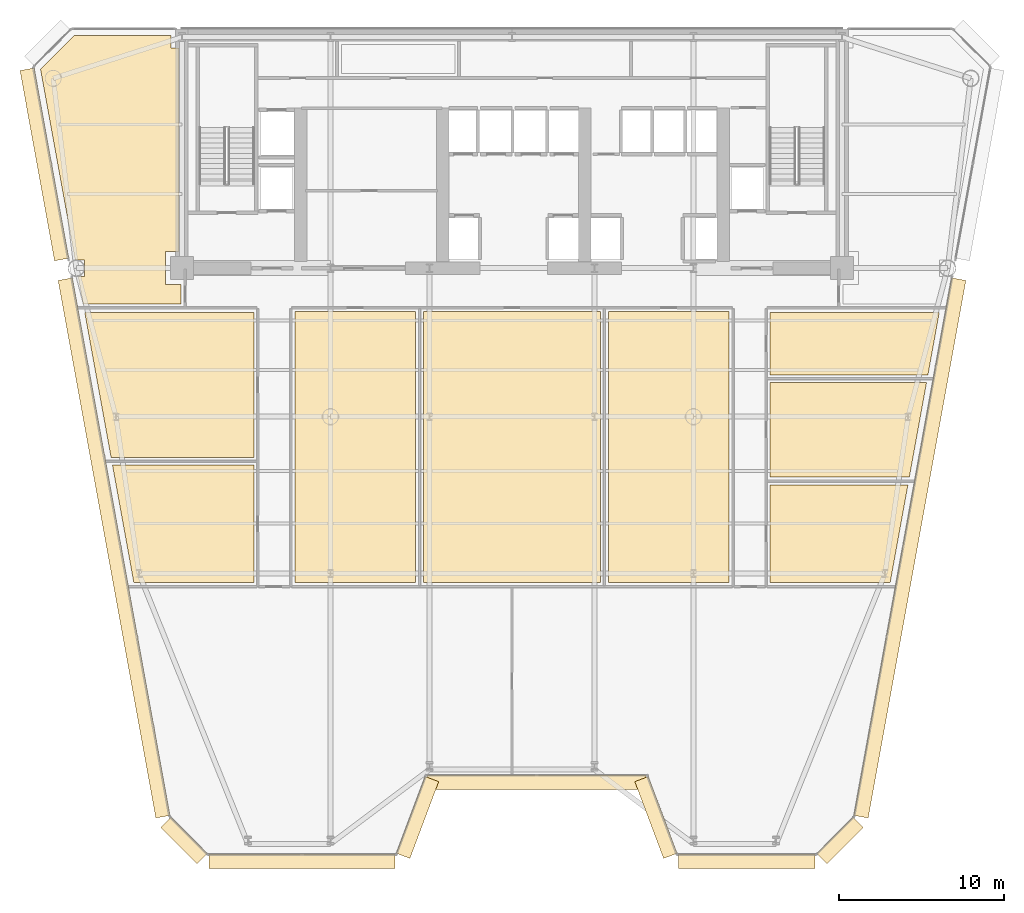
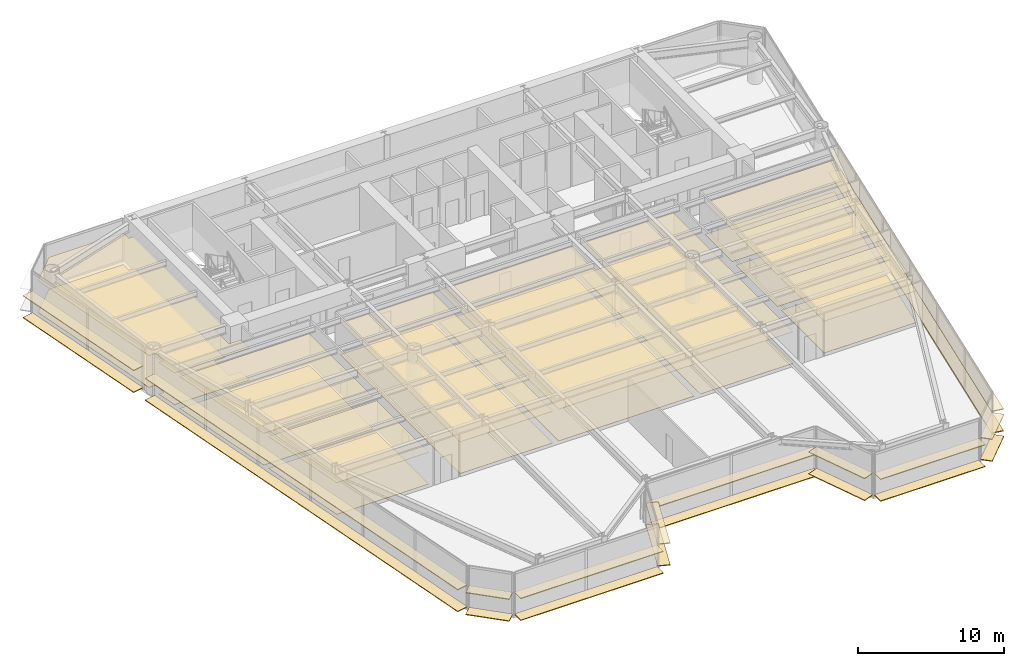
# One storey, part 11 of 14: 38 coverings.
"""IFC4 building model written with IfcOpenShell, lengths in metres."""

from ifc_helpers import new_model, si_unit, direction, frame, origin, origin_2d, place, context, subcontext, project, spatial, polyline, rectangle, outline, extrude, source, transform, mapped, material, layer, layer_set, type_object, element, save


model = new_model("IFC4")

# Units and contexts
model_context = context("Model", 3, precision=1e-05, world=origin(), true_north=direction((0.0, 1.0)))
body_context = subcontext(model_context, "Body", "Model", "MODEL_VIEW")
ifc_project = project(units=[si_unit("LENGTHUNIT", "METRE"), si_unit("AREAUNIT", "SQUARE_METRE"), si_unit("VOLUMEUNIT", "CUBIC_METRE"), si_unit("PLANEANGLEUNIT", "RADIAN"), si_unit("MASSUNIT", "GRAM", prefix="KILO")], contexts=[model_context])

# Site, building, storey
site_placement = place(None, origin())
site = spatial("IfcSite", under=ifc_project, at=site_placement, CompositionType="ELEMENT")
building_placement = place(site_placement, origin())
building = spatial("IfcBuilding", under=site, at=building_placement, Name="Vaeldorn Concourse Tower", CompositionType="ELEMENT")
storey_placement = place(building_placement, frame((0.0, 0.0, 130.0)))
storey = spatial("IfcBuildingStorey", under=building, at=storey_placement, Name="L33", CompositionType="ELEMENT", Elevation=130.0)

# Coverings
ifc_material_1 = material(Name="Acoustic Mineral Fibre Board", Category="gypsum")
ifc_layer_1 = layer(ifc_material_1, 0.0400390625)
ifc_layer_set_1 = layer_set([ifc_layer_1], Name="Acoustic Mineral Fibre Board")
covering_type_1 = type_object("IfcCoveringType", Name="COV-CEIL-ACOUSTIC", PredefinedType="CEILING", material=ifc_layer_set_1)
covering_1_placement = place(storey_placement, frame((0.0, 0.0, 2.64990234375)))
element("IfcCovering", 1, at=covering_1_placement, inside=storey, type_object=covering_type_1, Name="Suspended Acoustic Ceiling L33-3", PredefinedType="CEILING", context=body_context, shape_type="SweptSolid", body=[
    extrude(outline(polyline([(7.4658203125, 50.60009765625), (13.340087890625, 50.60009765625), (13.340087890625, 49.840087890625), (13.820068359375, 49.840087890625), (13.820068359375, 37.5), (13.0, 37.5), (13.0, 35.5), (13.93994140625, 35.5), (13.93994140625, 34.340087890625), (8.015625, 34.340087890625), (7.7158203125, 35.991943359375), (8.10791015625, 35.991943359375), (8.10791015625, 37.008056640625), (7.531005859375, 37.008056640625), (5.43115234375, 48.565185546875), (7.4658203125, 50.60009765625)])), origin(), (0.0, 0.0, 1.0), 0.0400390625),
])
covering_2_placement = place(storey_placement, frame((0.0, 0.0, 2.64990234375)))
element("IfcCovering", 2, at=covering_2_placement, inside=storey, type_object=covering_type_1, Name="Suspended Acoustic Ceiling L33-5", PredefinedType="CEILING", context=body_context, shape_type="SweptSolid", body=[
    extrude(outline(polyline([(18.360107421875, 24.56005859375), (18.360107421875, 17.43994140625), (11.08642578125, 17.43994140625), (9.79296875, 24.56005859375), (18.360107421875, 24.56005859375)])), origin(), (0.0, 0.0, 1.0), 0.0400390625),
])
covering_3_placement = place(storey_placement, frame((0.0, 0.0, 2.64990234375)))
element("IfcCovering", 3, at=covering_3_placement, inside=storey, type_object=covering_type_1, Name="Suspended Acoustic Ceiling L33-6", PredefinedType="CEILING", context=body_context, shape_type="SweptSolid", body=[
    extrude(outline(polyline([(18.360107421875, 33.800048828125), (18.360107421875, 25.0400390625), (9.70556640625, 25.0400390625), (8.114013671875, 33.800048828125), (18.360107421875, 33.800048828125)])), origin(), (0.0, 0.0, 1.0), 0.0400390625),
])
covering_4_placement = place(storey_placement, frame((0.0, 0.0, 2.64990234375)))
element("IfcCovering", 4, at=covering_4_placement, inside=storey, type_object=covering_type_1, Name="Suspended Acoustic Ceiling L33-7", PredefinedType="CEILING", context=body_context, shape_type="SweptSolid", body=[
    extrude(outline(polyline([(49.639892578125, 17.43994140625), (49.639892578125, 23.360107421875), (57.989013671875, 23.360107421875), (56.91357421875, 17.43994140625), (49.639892578125, 17.43994140625)])), origin(), (0.0, 0.0, 1.0), 0.0400390625),
])
covering_5_placement = place(storey_placement, frame((0.0, 0.0, 2.64990234375)))
element("IfcCovering", 5, at=covering_5_placement, inside=storey, type_object=covering_type_1, Name="Suspended Acoustic Ceiling L33-8", PredefinedType="CEILING", context=body_context, shape_type="SweptSolid", body=[
    extrude(outline(polyline([(49.639892578125, 23.840087890625), (49.639892578125, 29.56005859375), (59.115478515625, 29.56005859375), (58.076416015625, 23.840087890625), (49.639892578125, 23.840087890625)])), origin(), (0.0, 0.0, 1.0), 0.0400390625),
])
covering_6_placement = place(storey_placement, frame((0.0, 0.0, 2.64990234375)))
element("IfcCovering", 6, at=covering_6_placement, inside=storey, type_object=covering_type_1, Name="Suspended Acoustic Ceiling L33-9", PredefinedType="CEILING", context=body_context, shape_type="SweptSolid", body=[
    extrude(outline(polyline([(49.639892578125, 30.0400390625), (49.639892578125, 33.800048828125), (59.885986328125, 33.800048828125), (59.202880859375, 30.0400390625), (49.639892578125, 30.0400390625)])), origin(), (0.0, 0.0, 1.0), 0.0400390625),
])
covering_7_placement = place(storey_placement, frame((0.0, 0.0, 2.64990234375)))
element("IfcCovering", 7, at=covering_7_placement, inside=storey, type_object=covering_type_1, Name="Suspended Acoustic Ceiling L33-10", PredefinedType="CEILING", context=body_context, shape_type="SweptSolid", body=[
    extrude(outline(polyline([(20.840087890625, 33.860107421875), (28.159912109375, 33.860107421875), (28.159912109375, 17.43994140625), (20.840087890625, 17.43994140625), (20.840087890625, 33.860107421875)])), origin(), (0.0, 0.0, 1.0), 0.0400390625),
])
covering_8_placement = place(storey_placement, frame((0.0, 0.0, 2.64990234375)))
element("IfcCovering", 8, at=covering_8_placement, inside=storey, type_object=covering_type_1, Name="Suspended Acoustic Ceiling L33-11", PredefinedType="CEILING", context=body_context, shape_type="SweptSolid", body=[
    extrude(outline(polyline([(28.639892578125, 33.860107421875), (39.360107421875, 33.860107421875), (39.360107421875, 17.43994140625), (28.639892578125, 17.43994140625), (28.639892578125, 33.860107421875)])), origin(), (0.0, 0.0, 1.0), 0.0400390625),
])
covering_9_placement = place(storey_placement, frame((0.0, 0.0, 2.64990234375)))
element("IfcCovering", 9, at=covering_9_placement, inside=storey, type_object=covering_type_1, Name="Suspended Acoustic Ceiling L33-12", PredefinedType="CEILING", context=body_context, shape_type="SweptSolid", body=[
    extrude(outline(polyline([(39.840087890625, 33.860107421875), (47.159912109375, 33.860107421875), (47.159912109375, 17.43994140625), (39.840087890625, 17.43994140625), (39.840087890625, 33.860107421875)])), origin(), (0.0, 0.0, 1.0), 0.0400390625),
])
ifc_material_2 = material(Name="Honed Limestone Terrazzo Flooring", Category="masonry")
ifc_layer_2 = layer(ifc_material_2, 0.0400390625)
ifc_layer_set_2 = layer_set([ifc_layer_2], Name="Honed Limestone Terrazzo Flooring")
covering_type_2 = type_object("IfcCoveringType", Name="COV-FLOOR-STONE", PredefinedType="FLOORING", material=ifc_layer_set_2)
covering_10_placement = place(storey_placement, origin())
element("IfcCovering", 10, at=covering_10_placement, inside=storey, type_object=covering_type_2, Name="Floor Finish Covering L33-3", PredefinedType="FLOORING", context=body_context, shape_type="SweptSolid", body=[
    extrude(outline(polyline([(7.4658203125, 50.60009765625), (13.340087890625, 50.60009765625), (13.340087890625, 49.840087890625), (13.820068359375, 49.840087890625), (13.820068359375, 37.5), (13.0, 37.5), (13.0, 35.5), (13.93994140625, 35.5), (13.93994140625, 34.340087890625), (8.015625, 34.340087890625), (7.7158203125, 35.991943359375), (8.10791015625, 35.991943359375), (8.10791015625, 37.008056640625), (7.531005859375, 37.008056640625), (5.43115234375, 48.565185546875), (7.4658203125, 50.60009765625)])), origin(), (0.0, 0.0, 1.0), 0.030029296875),
])
covering_11_placement = place(storey_placement, origin())
element("IfcCovering", 11, at=covering_11_placement, inside=storey, type_object=covering_type_2, Name="Floor Finish Covering L33-5", PredefinedType="FLOORING", context=body_context, shape_type="SweptSolid", body=[
    extrude(outline(polyline([(18.360107421875, 24.56005859375), (18.360107421875, 17.43994140625), (11.08642578125, 17.43994140625), (9.79296875, 24.56005859375), (18.360107421875, 24.56005859375)])), origin(), (0.0, 0.0, 1.0), 0.030029296875),
])
covering_12_placement = place(storey_placement, origin())
element("IfcCovering", 12, at=covering_12_placement, inside=storey, type_object=covering_type_2, Name="Floor Finish Covering L33-6", PredefinedType="FLOORING", context=body_context, shape_type="SweptSolid", body=[
    extrude(outline(polyline([(18.360107421875, 33.800048828125), (18.360107421875, 25.0400390625), (9.70556640625, 25.0400390625), (8.114013671875, 33.800048828125), (18.360107421875, 33.800048828125)])), origin(), (0.0, 0.0, 1.0), 0.030029296875),
])
covering_13_placement = place(storey_placement, origin())
element("IfcCovering", 13, at=covering_13_placement, inside=storey, type_object=covering_type_2, Name="Floor Finish Covering L33-7", PredefinedType="FLOORING", context=body_context, shape_type="SweptSolid", body=[
    extrude(outline(polyline([(49.639892578125, 17.43994140625), (49.639892578125, 23.360107421875), (57.989013671875, 23.360107421875), (56.91357421875, 17.43994140625), (49.639892578125, 17.43994140625)])), origin(), (0.0, 0.0, 1.0), 0.030029296875),
])
covering_14_placement = place(storey_placement, origin())
element("IfcCovering", 14, at=covering_14_placement, inside=storey, type_object=covering_type_2, Name="Floor Finish Covering L33-8", PredefinedType="FLOORING", context=body_context, shape_type="SweptSolid", body=[
    extrude(outline(polyline([(49.639892578125, 23.840087890625), (49.639892578125, 29.56005859375), (59.115478515625, 29.56005859375), (58.076416015625, 23.840087890625), (49.639892578125, 23.840087890625)])), origin(), (0.0, 0.0, 1.0), 0.030029296875),
])
covering_15_placement = place(storey_placement, origin())
element("IfcCovering", 15, at=covering_15_placement, inside=storey, type_object=covering_type_2, Name="Floor Finish Covering L33-9", PredefinedType="FLOORING", context=body_context, shape_type="SweptSolid", body=[
    extrude(outline(polyline([(49.639892578125, 30.0400390625), (49.639892578125, 33.800048828125), (59.885986328125, 33.800048828125), (59.202880859375, 30.0400390625), (49.639892578125, 30.0400390625)])), origin(), (0.0, 0.0, 1.0), 0.030029296875),
])
covering_16_placement = place(storey_placement, origin())
element("IfcCovering", 16, at=covering_16_placement, inside=storey, type_object=covering_type_2, Name="Floor Finish Covering L33-10", PredefinedType="FLOORING", context=body_context, shape_type="SweptSolid", body=[
    extrude(outline(polyline([(20.840087890625, 33.860107421875), (28.159912109375, 33.860107421875), (28.159912109375, 17.43994140625), (20.840087890625, 17.43994140625), (20.840087890625, 33.860107421875)])), origin(), (0.0, 0.0, 1.0), 0.030029296875),
])
covering_17_placement = place(storey_placement, origin())
element("IfcCovering", 17, at=covering_17_placement, inside=storey, type_object=covering_type_2, Name="Floor Finish Covering L33-11", PredefinedType="FLOORING", context=body_context, shape_type="SweptSolid", body=[
    extrude(outline(polyline([(28.639892578125, 33.860107421875), (39.360107421875, 33.860107421875), (39.360107421875, 17.43994140625), (28.639892578125, 17.43994140625), (28.639892578125, 33.860107421875)])), origin(), (0.0, 0.0, 1.0), 0.030029296875),
])
covering_18_placement = place(storey_placement, origin())
element("IfcCovering", 18, at=covering_18_placement, inside=storey, type_object=covering_type_2, Name="Floor Finish Covering L33-12", PredefinedType="FLOORING", context=body_context, shape_type="SweptSolid", body=[
    extrude(outline(polyline([(39.840087890625, 33.860107421875), (47.159912109375, 33.860107421875), (47.159912109375, 17.43994140625), (39.840087890625, 17.43994140625), (39.840087890625, 33.860107421875)])), origin(), (0.0, 0.0, 1.0), 0.030029296875),
])
ifc_material_3 = material(Name="Anodised Bronze Aluminium", Category="aluminium")
ifc_layer_3 = layer(ifc_material_3, 0.06494140625)
ifc_layer_set_3 = layer_set([ifc_layer_3], Name="Anodised Bronze Aluminium")
covering_type_3 = type_object("IfcCoveringType", Name="SD-BRONZE-SUNSHADE", PredefinedType="USERDEFINED", material=ifc_layer_set_3)
shared_shape_1 = source(origin(), body_context, "Body", "SweptSolid", [
    extrude(rectangle(XDim=4.96630859375, YDim=0.8798828125, at=origin_2d()), origin(), (0.0, 0.0, 1.0), 0.06494140625),
])
for number, where, z_axis, x_axis, name in (
    (19, (28.2744140625, 3.2158203125, 0.047607421875), (0.0, 0.0, 1.0), (0.351122702609, 0.936329454686, 0.0), "Horizontal Bronze Sunshade L33-E02.1.1"),
    (20, (28.2744140625, 3.2158203125, 1.867431640625), (0.0, 0.0, 1.0), (0.351122702609, 0.936329454686, 0.0), "Horizontal Bronze Sunshade L33-E02.1.2"),
    (21, (42.7255859375, 3.2158203125, 0.047607421875), (0.0, 0.0, 1.0), (0.351122702609, -0.936329454686, 0.0), "Horizontal Bronze Sunshade L33-E04.1.1"),
    (22, (42.7255859375, 3.2158203125, 1.867431640625), (0.0, 0.0, 1.0), (0.351122702609, -0.936329454686, 0.0), "Horizontal Bronze Sunshade L33-E04.1.2"),
):
    element("IfcCovering", number, at=place(storey_placement, frame(where, z_axis=z_axis, x_axis=x_axis)), inside=storey, type_object=covering_type_3, Name=name, ObjectType="SUNSHADE", PredefinedType="USERDEFINED", context=body_context, shape_type="MappedRepresentation", body=[
        mapped(shared_shape_1, transform((0.0, 0.0, 0.0), scale=1.0)),
    ])
shared_shape_2 = source(origin(), body_context, "Body", "SweptSolid", [
    extrude(rectangle(XDim=13.239990234375, YDim=0.8798828125, at=origin_2d()), origin(), (0.0, 0.0, 1.0), 0.06494140625),
])
for number, where, z_axis, x_axis, name in (
    (23, (35.5, 5.356201171875, 0.047607421875), (0.0, 0.0, 1.0), (1.0, 0.0, 0.0), "Horizontal Bronze Sunshade L33-E03.1.1"),
    (24, (35.5, 5.356201171875, 1.867431640625), (0.0, 0.0, 1.0), (1.0, 0.0, 0.0), "Horizontal Bronze Sunshade L33-E03.1.2"),
):
    element("IfcCovering", number, at=place(storey_placement, frame(where, z_axis=z_axis, x_axis=x_axis)), inside=storey, type_object=covering_type_3, Name=name, ObjectType="SUNSHADE", PredefinedType="USERDEFINED", context=body_context, shape_type="MappedRepresentation", body=[
        mapped(shared_shape_2, transform((0.0, 0.0, 0.0), scale=1.0)),
    ])
shared_shape_3 = source(origin(), body_context, "Body", "SweptSolid", [
    extrude(rectangle(XDim=3.0927734375, YDim=0.8798828125, at=origin_2d()), origin(), (0.0, 0.0, 1.0), 0.06494140625),
])
for number, where, z_axis, x_axis, name in (
    (25, (53.87548828125, 1.823486328125, 0.047607421875), (0.0, 0.0, 1.0), (0.707106781187, 0.707106781187, 0.0), "Horizontal Bronze Sunshade L33-E06.1.1"),
    (26, (53.87548828125, 1.823486328125, 1.867431640625), (0.0, 0.0, 1.0), (0.707106781187, 0.707106781187, 0.0), "Horizontal Bronze Sunshade L33-E06.1.2"),
    (27, (14.12451171875, 1.823486328125, 0.047607421875), (0.0, 0.0, 1.0), (0.707106781187, -0.707106781187, 0.0), "Horizontal Bronze Sunshade L33-E12.1.1"),
    (28, (14.12451171875, 1.823486328125, 1.867431640625), (0.0, 0.0, 1.0), (0.707106781187, -0.707106781187, 0.0), "Horizontal Bronze Sunshade L33-E12.1.2"),
):
    element("IfcCovering", number, at=place(storey_placement, frame(where, z_axis=z_axis, x_axis=x_axis)), inside=storey, type_object=covering_type_3, Name=name, ObjectType="SUNSHADE", PredefinedType="USERDEFINED", context=body_context, shape_type="MappedRepresentation", body=[
        mapped(shared_shape_3, transform((0.0, 0.0, 0.0), scale=1.0)),
    ])
shared_shape_4 = source(origin(), body_context, "Body", "SweptSolid", [
    extrude(rectangle(XDim=11.28271484375, YDim=0.8798828125, at=origin_2d()), origin(), (0.0, 0.0, 1.0), 0.06494140625),
])
for number, where, z_axis, x_axis, name in (
    (29, (21.278564453125, 0.556396484375, 0.047607421875), (0.0, 0.0, 1.0), (1.0, 0.0, 0.0), "Horizontal Bronze Sunshade L33-E01.1.1"),
    (30, (21.278564453125, 0.556396484375, 1.867431640625), (0.0, 0.0, 1.0), (1.0, 0.0, 0.0), "Horizontal Bronze Sunshade L33-E01.1.2"),
):
    element("IfcCovering", number, at=place(storey_placement, frame(where, z_axis=z_axis, x_axis=x_axis)), inside=storey, type_object=covering_type_3, Name=name, ObjectType="SUNSHADE", PredefinedType="USERDEFINED", context=body_context, shape_type="MappedRepresentation", body=[
        mapped(shared_shape_4, transform((0.0, 0.0, 0.0), scale=1.0)),
    ])
shared_shape_5 = source(origin(), body_context, "Body", "SweptSolid", [
    extrude(rectangle(XDim=8.28271484375, YDim=0.8798828125, at=origin_2d()), origin(), (0.0, 0.0, 1.0), 0.06494140625),
])
for number, where, z_axis, x_axis, name in (
    (31, (48.221435546875, 0.556396484375, 0.047607421875), (0.0, 0.0, 1.0), (1.0, 0.0, 0.0), "Horizontal Bronze Sunshade L33-E05.1.1"),
    (32, (48.221435546875, 0.556396484375, 1.867431640625), (0.0, 0.0, 1.0), (1.0, 0.0, 0.0), "Horizontal Bronze Sunshade L33-E05.1.2"),
):
    element("IfcCovering", number, at=place(storey_placement, frame(where, z_axis=z_axis, x_axis=x_axis)), inside=storey, type_object=covering_type_3, Name=name, ObjectType="SUNSHADE", PredefinedType="USERDEFINED", context=body_context, shape_type="MappedRepresentation", body=[
        mapped(shared_shape_5, transform((0.0, 0.0, 0.0), scale=1.0)),
    ])
shared_shape_6 = source(origin(), body_context, "Body", "SweptSolid", [
    extrude(rectangle(XDim=11.71337890625, YDim=0.8798828125, at=origin_2d()), origin(), (0.0, 0.0, 1.0), 0.06494140625),
])
for number, where, z_axis, x_axis, name in (
    (33, (5.667724609375, 42.78759765625, 0.047607421875), (0.0, 0.0, 1.0), (0.178767870941, -0.983891278709, 0.0), "Horizontal Bronze Sunshade L33-E11.1.1"),
    (34, (5.667724609375, 42.78759765625, 1.867431640625), (0.0, 0.0, 1.0), (0.178767870941, -0.983891278709, 0.0), "Horizontal Bronze Sunshade L33-E11.1.2"),
):
    element("IfcCovering", number, at=place(storey_placement, frame(where, z_axis=z_axis, x_axis=x_axis)), inside=storey, type_object=covering_type_3, Name=name, ObjectType="SUNSHADE", PredefinedType="USERDEFINED", context=body_context, shape_type="MappedRepresentation", body=[
        mapped(shared_shape_6, transform((0.0, 0.0, 0.0), scale=1.0)),
    ])
shared_shape_7 = source(origin(), body_context, "Body", "SweptSolid", [
    extrude(rectangle(XDim=33.1015625, YDim=0.8798828125, at=origin_2d()), origin(), (0.0, 0.0, 1.0), 0.06494140625),
])
for number, where, z_axis, x_axis, name in (
    (35, (58.109619140625, 19.547607421875, 0.047607421875), (0.0, 0.0, 1.0), (0.178767870941, 0.983891278709, 0.0), "Horizontal Bronze Sunshade L33-E07.1.1"),
    (36, (58.109619140625, 19.547607421875, 1.867431640625), (0.0, 0.0, 1.0), (0.178767870941, 0.983891278709, 0.0), "Horizontal Bronze Sunshade L33-E07.1.2"),
    (37, (9.890380859375, 19.547607421875, 0.047607421875), (0.0, 0.0, 1.0), (0.178767870941, -0.983891278709, 0.0), "Horizontal Bronze Sunshade L33-E11.2.1"),
    (38, (9.890380859375, 19.547607421875, 1.867431640625), (0.0, 0.0, 1.0), (0.178767870941, -0.983891278709, 0.0), "Horizontal Bronze Sunshade L33-E11.2.2"),
):
    element("IfcCovering", number, at=place(storey_placement, frame(where, z_axis=z_axis, x_axis=x_axis)), inside=storey, type_object=covering_type_3, Name=name, ObjectType="SUNSHADE", PredefinedType="USERDEFINED", context=body_context, shape_type="MappedRepresentation", body=[
        mapped(shared_shape_7, transform((0.0, 0.0, 0.0), scale=1.0)),
    ])

save(model, "model.ifc")
